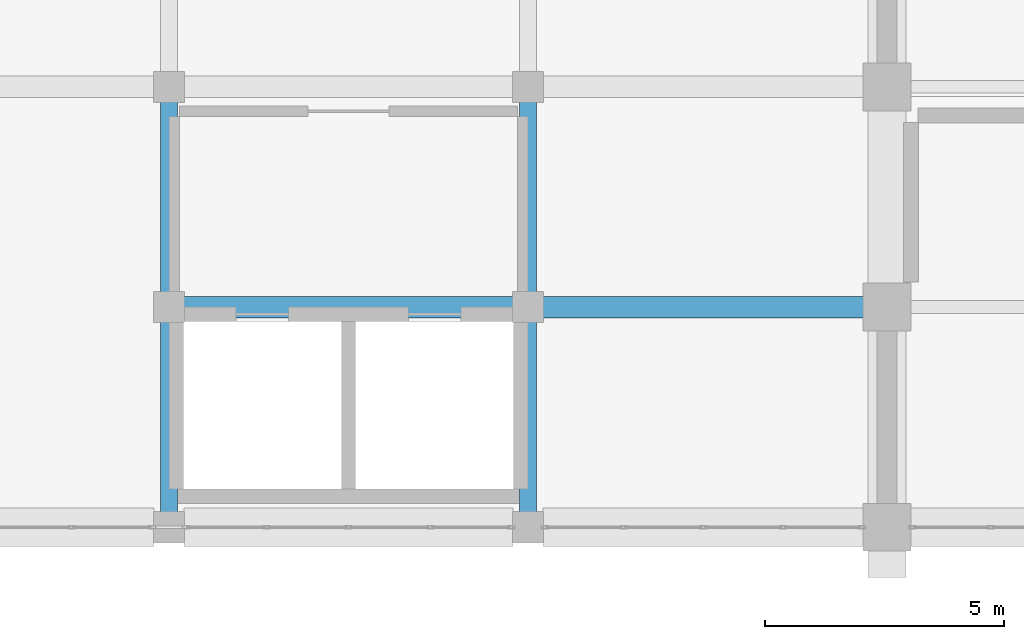
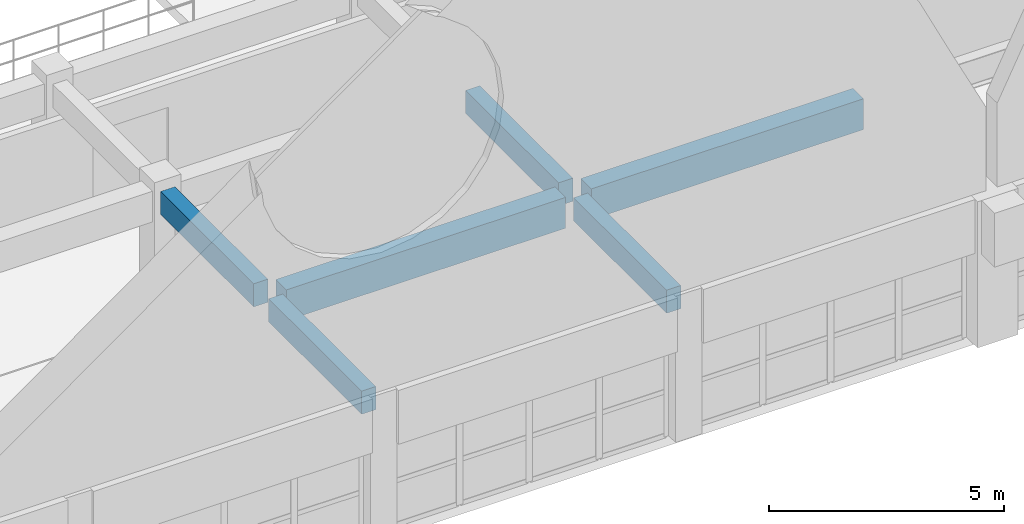
# One storey, part 6 of 74: 6 beams.
"""IFC4 building model written with IfcOpenShell, lengths in metres."""

from ifc_helpers import new_model, si_unit, direction, frame, origin, origin_2d, place, context, subcontext, project, spatial, rectangle, extrude, material, material_profile, profile_set, type_object, element, save


model = new_model("IFC4")

# Units and contexts
model_context = context("Model", 3, precision=1e-05, world=origin(), true_north=direction((0.0, 1.0)))
body_context = subcontext(model_context, "Body", "Model", "MODEL_VIEW")
ifc_project = project(units=[si_unit("LENGTHUNIT", "METRE"), si_unit("AREAUNIT", "SQUARE_METRE"), si_unit("VOLUMEUNIT", "CUBIC_METRE"), si_unit("PLANEANGLEUNIT", "RADIAN"), si_unit("MASSUNIT", "GRAM", prefix="KILO")], contexts=[model_context])

# Site, building, storey
site_placement = place(None, origin())
site = spatial("IfcSite", under=ifc_project, at=site_placement, CompositionType="ELEMENT")
building_placement = place(site_placement, origin())
building = spatial("IfcBuilding", under=site, at=building_placement, Name="Muzn Square Opera House", CompositionType="ELEMENT")
storey_placement = place(building_placement, frame((0.0, 0.0, 14.199951171875)))
storey = spatial("IfcBuildingStorey", under=building, at=storey_placement, Name="L03", CompositionType="ELEMENT", Elevation=14.199951171875)

# Beams
ifc_material = material(Name="Concrete C40/50", Category="concrete")
ifc_material_profile_1 = material_profile(ifc_material, rectangle(XDim=0.35009765625, YDim=0.60009765625, at=origin_2d()), Name="RCB 350x600", Category="concrete")
ifc_profile_set_1 = profile_set([ifc_material_profile_1], Name="Concrete C40/50")
beam_type_1 = type_object("IfcBeamType", Name="Primary Girder 350x600", PredefinedType="BEAM", material=ifc_profile_set_1)
for number, where, z_axis, x_axis, name in (
    (1, (58.0, 22.31689453125, 3.219970703125), (0.0, 1.0, 0.0), (-1.0, 0.0, 0.0), "Primary Girder BM-L03-BM-PG600-580_223_580_263-2560"),
    (2, (58.0, 26.9169921875, 3.219970703125), (0.0, 1.0, 0.0), (-1.0, 0.0, 0.0), "Primary Girder BM-L03-BM-PG600-580_269_580_309-2561"),
    (3, (65.5, 22.31689453125, 3.219970703125), (0.0, 1.0, 0.0), (-1.0, 0.0, 0.0), "Primary Girder BM-L03-BM-PG600-655_223_655_263-2565"),
    (4, (65.5, 26.9169921875, 3.219970703125), (0.0, 1.0, 0.0), (-1.0, 0.0, 0.0), "Primary Girder BM-L03-BM-PG600-655_269_655_309-2566"),
):
    element("IfcBeam", number, at=place(storey_placement, frame(where, z_axis=z_axis, x_axis=x_axis)), inside=storey, type_object=beam_type_1, Name=name, PredefinedType="BEAM", context=body_context, shape_type="SweptSolid", body=[
        extrude(rectangle(XDim=0.35009765625, YDim=0.60009765625, at=origin_2d()), origin(), (0.0, 0.0, 1.0), 3.966064453125),
    ])
ifc_material_profile_2 = material_profile(ifc_material, rectangle(XDim=0.449951171875, YDim=0.800048828125, at=origin_2d()), Name="RCB 450x800", Category="concrete")
ifc_profile_set_2 = profile_set([ifc_material_profile_2], Name="Concrete C40/50")
beam_type_2 = type_object("IfcBeamType", Name="Primary Girder 450x800", PredefinedType="BEAM", material=ifc_profile_set_2)
beam_1_placement = place(storey_placement, frame((58.31689453125, 26.60009765625, 3.1201171875), z_axis=(1.0, 0.0, 0.0), x_axis=(0.0, 1.0, 0.0)))
element("IfcBeam", 5, at=beam_1_placement, inside=storey, type_object=beam_type_2, Name="Primary Girder BM-L03-BM-PG800-583_266_652_266-2419", PredefinedType="BEAM", context=body_context, shape_type="SweptSolid", body=[
    extrude(rectangle(XDim=0.449951171875, YDim=0.800048828125, at=origin_2d()), origin(), (0.0, 0.0, 1.0), 6.8662109375),
])
beam_2_placement = place(storey_placement, frame((65.81689453125, 26.60009765625, 3.1201171875), z_axis=(1.0, 0.0, 0.0), x_axis=(0.0, 1.0, 0.0)))
element("IfcBeam", 6, at=beam_2_placement, inside=storey, type_object=beam_type_2, Name="Primary Girder BM-L03-BM-PG800-658_266_725_266-2420", PredefinedType="BEAM", context=body_context, shape_type="SweptSolid", body=[
    extrude(rectangle(XDim=0.449951171875, YDim=0.800048828125, at=origin_2d()), origin(), (0.0, 0.0, 1.0), 6.691162109375),
])

save(model, "model.ifc")
